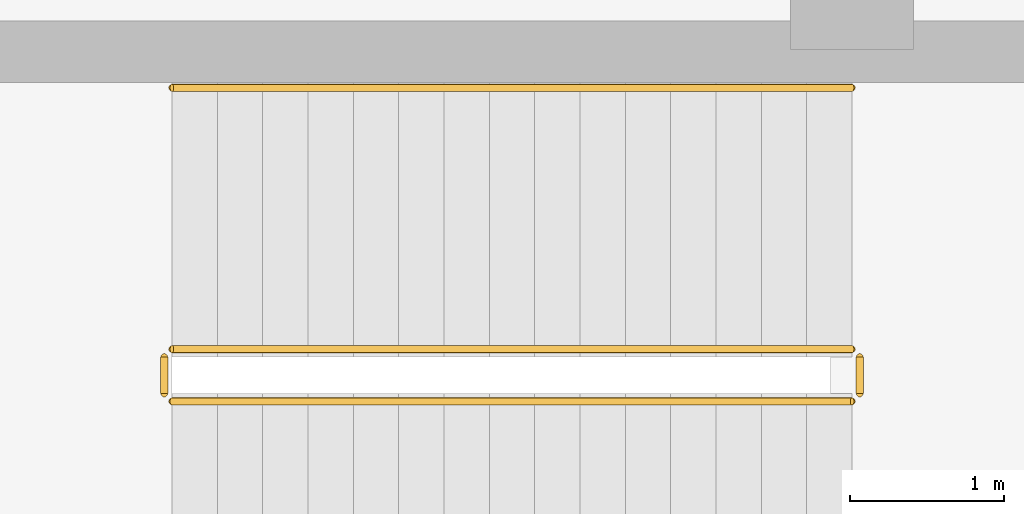
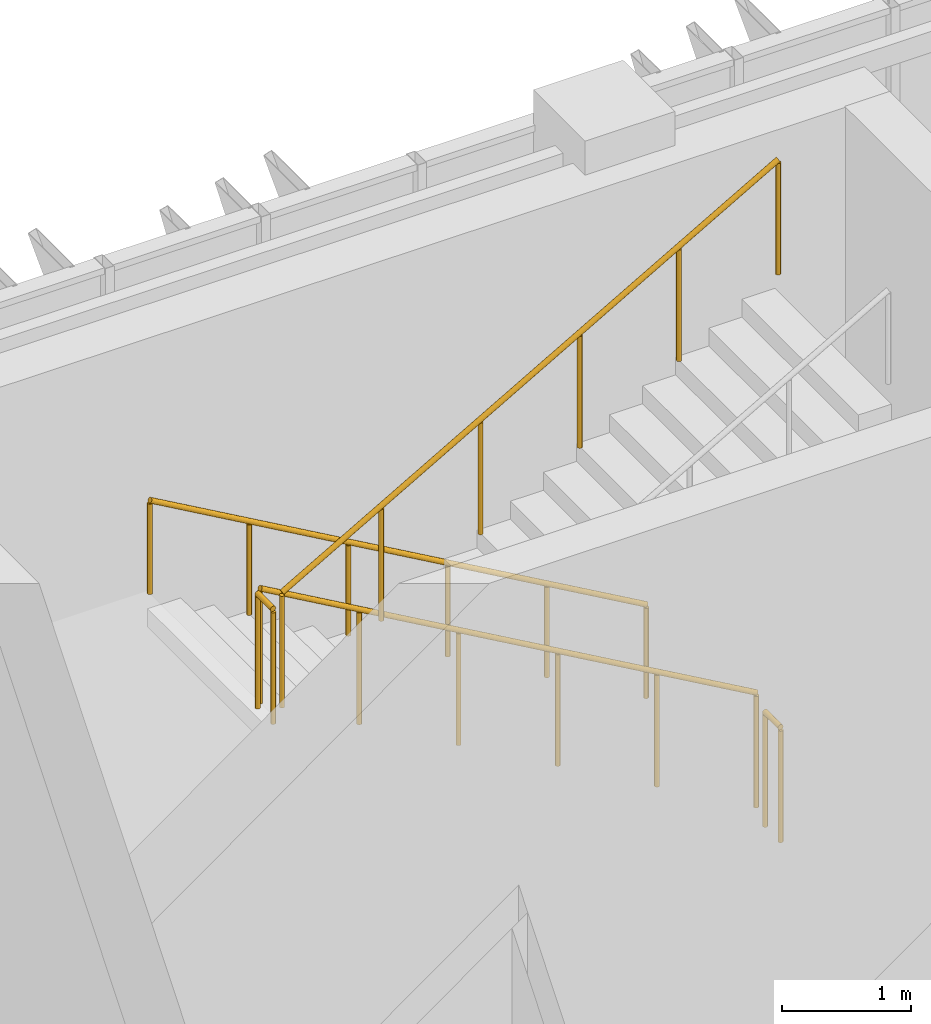
# One storey, part 130 of 139: 5 railings.
"""IFC4 building model written with IfcOpenShell, lengths in metres."""

from ifc_helpers import new_model, si_unit, direction, frame, origin, origin_2d, place, context, subcontext, project, spatial, circle, extrude, material, type_object, element, save


model = new_model("IFC4")

# Units and contexts
model_context = context("Model", 3, precision=1e-05, world=origin(), true_north=direction((0.0, 1.0)))
body_context = subcontext(model_context, "Body", "Model", "MODEL_VIEW")
ifc_project = project(units=[si_unit("LENGTHUNIT", "METRE"), si_unit("AREAUNIT", "SQUARE_METRE"), si_unit("VOLUMEUNIT", "CUBIC_METRE"), si_unit("PLANEANGLEUNIT", "RADIAN"), si_unit("MASSUNIT", "GRAM", prefix="KILO")], contexts=[model_context])

# Site, building, storey
site_placement = place(None, origin())
site = spatial("IfcSite", under=ifc_project, at=site_placement, CompositionType="ELEMENT")
building_placement = place(site_placement, origin())
building = spatial("IfcBuilding", under=site, at=building_placement, Name="Zayran Congress Hotel", CompositionType="ELEMENT")
storey_placement = place(building_placement, frame((0.0, 0.0, 5.39990234375)))
storey = spatial("IfcBuildingStorey", under=building, at=storey_placement, Name="L01", CompositionType="ELEMENT", Elevation=5.39990234375)

# Railings
ifc_material_1 = material(Name="Painted steel balustrade", Category="steel")
railing_type_1 = type_object("IfcRailingType", Name="TP-GRD-INT", PredefinedType="GUARDRAIL", material=ifc_material_1)
railing_1_placement = place(storey_placement, frame((16.800048828125, 115.050048828125, 0.1689453125)))
element("IfcRailing", 1, at=railing_1_placement, inside=storey, type_object=railing_type_1, Name="L01 ST-03 stair guard 1", PredefinedType="GUARDRAIL", context=body_context, shape_type="SweptSolid", body=[
    extrude(circle(Radius=0.02392578125, at=origin_2d()), frame((0.0, 0.0, 1.076171875), z_axis=(-0.868019072493, 0.0, 0.49653085482), x_axis=(0.0, -1.0, 0.0)), (0.0, 0.0, 1.0), 5.097900390625),
    extrude(circle(Radius=0.02099609375, at=origin_2d()), origin(), (0.0, 0.0, 1.0), 1.052001953125),
    extrude(circle(Radius=0.02099609375, at=origin_2d()), frame((-0.885009765625, 0.0, 0.50634765625)), (0.0, 0.0, 1.0), 1.052001953125),
    extrude(circle(Radius=0.02099609375, at=origin_2d()), frame((-1.77001953125, 0.0, 1.012451171875)), (0.0, 0.0, 1.0), 1.052001953125),
    extrude(circle(Radius=0.02099609375, at=origin_2d()), frame((-2.655029296875, 0.0, 1.518798828125)), (0.0, 0.0, 1.0), 1.052001953125),
    extrude(circle(Radius=0.02099609375, at=origin_2d()), frame((-3.5400390625, 0.0, 2.02490234375)), (0.0, 0.0, 1.0), 1.052001953125),
    extrude(circle(Radius=0.02099609375, at=origin_2d()), frame((-4.425048828125, 0.0, 2.53125)), (0.0, 0.0, 1.0), 1.052001953125),
])
railing_2_placement = place(storey_placement, frame((12.324951171875, 115.0, 2.7001953125)))
element("IfcRailing", 2, at=railing_2_placement, inside=storey, type_object=railing_type_1, Name="L01 ST-03 stair guard 2", PredefinedType="GUARDRAIL", context=body_context, shape_type="SweptSolid", body=[
    extrude(circle(Radius=0.02392578125, at=origin_2d()), frame((0.0, 0.0, 1.076171875), z_axis=(0.0, -1.0, 0.0), x_axis=(1.0, 0.0, 0.0)), (0.0, 0.0, 1.0), 0.239990234375),
    extrude(circle(Radius=0.02099609375, at=origin_2d()), origin(), (0.0, 0.0, 1.0), 1.052001953125),
    extrude(circle(Radius=0.02099609375, at=origin_2d()), frame((0.0, -0.239990234375, 0.0)), (0.0, 0.0, 1.0), 1.052001953125),
])
railing_3_placement = place(storey_placement, frame((12.375, 114.7099609375, 2.868896484375)))
element("IfcRailing", 3, at=railing_3_placement, inside=storey, type_object=railing_type_1, Name="L01 ST-03 stair guard 3", PredefinedType="GUARDRAIL", context=body_context, shape_type="SweptSolid", body=[
    extrude(circle(Radius=0.02392578125, at=origin_2d()), frame((0.0, 0.0, 1.076171875), z_axis=(0.868019072493, 0.0, 0.49653085482), x_axis=(0.0, 1.0, 0.0)), (0.0, 0.0, 1.0), 5.097900390625),
    extrude(circle(Radius=0.02099609375, at=origin_2d()), origin(), (0.0, 0.0, 1.0), 1.052001953125),
    extrude(circle(Radius=0.02099609375, at=origin_2d()), frame((0.885009765625, 0.0, 0.50634765625)), (0.0, 0.0, 1.0), 1.052001953125),
    extrude(circle(Radius=0.02099609375, at=origin_2d()), frame((1.77001953125, 0.0, 1.012451171875)), (0.0, 0.0, 1.0), 1.052001953125),
    extrude(circle(Radius=0.02099609375, at=origin_2d()), frame((2.655029296875, 0.0, 1.518798828125)), (0.0, 0.0, 1.0), 1.052001953125),
    extrude(circle(Radius=0.02099609375, at=origin_2d()), frame((3.5400390625, 0.0, 2.02490234375)), (0.0, 0.0, 1.0), 1.052001953125),
    extrude(circle(Radius=0.02099609375, at=origin_2d()), frame((4.425048828125, 0.0, 2.53125)), (0.0, 0.0, 1.0), 1.052001953125),
])
railing_4_placement = place(storey_placement, frame((16.85009765625, 115.0, 0.0)))
element("IfcRailing", 4, at=railing_4_placement, inside=storey, type_object=railing_type_1, Name="L01 ST-03 stair guard 4", PredefinedType="GUARDRAIL", context=body_context, shape_type="SweptSolid", body=[
    extrude(circle(Radius=0.02392578125, at=origin_2d()), frame((0.0, 0.0, 1.076171875), z_axis=(0.0, -1.0, 0.0), x_axis=(1.0, 0.0, 0.0)), (0.0, 0.0, 1.0), 0.239990234375),
    extrude(circle(Radius=0.02099609375, at=origin_2d()), origin(), (0.0, 0.0, 1.0), 1.052001953125),
    extrude(circle(Radius=0.02099609375, at=origin_2d()), frame((0.0, -0.239990234375, 0.0)), (0.0, 0.0, 1.0), 1.052001953125),
])
ifc_material_2 = material(Name="Brushed stainless steel handrail", Category="steel")
railing_type_2 = type_object("IfcRailingType", Name="TP-HND-STR", PredefinedType="HANDRAIL", material=ifc_material_2)
railing_5_placement = place(storey_placement, frame((16.800048828125, 116.75, 0.1689453125)))
element("IfcRailing", 5, at=railing_5_placement, inside=storey, type_object=railing_type_2, Name="L01 ST-03 stair handrail 1", PredefinedType="HANDRAIL", context=body_context, shape_type="SweptSolid", body=[
    extrude(circle(Radius=0.02392578125, at=origin_2d()), frame((0.0, 0.0, 0.8759765625), z_axis=(-0.868019072493, 0.0, 0.49653085482), x_axis=(0.0, -1.0, 0.0)), (0.0, 0.0, 1.0), 5.097900390625),
    extrude(circle(Radius=0.02099609375, at=origin_2d()), origin(), (0.0, 0.0, 1.0), 0.851806640625),
    extrude(circle(Radius=0.02099609375, at=origin_2d()), frame((-0.885009765625, 0.0, 0.50634765625)), (0.0, 0.0, 1.0), 0.851806640625),
    extrude(circle(Radius=0.02099609375, at=origin_2d()), frame((-1.77001953125, 0.0, 1.012451171875)), (0.0, 0.0, 1.0), 0.851806640625),
    extrude(circle(Radius=0.02099609375, at=origin_2d()), frame((-2.655029296875, 0.0, 1.518798828125)), (0.0, 0.0, 1.0), 0.851806640625),
    extrude(circle(Radius=0.02099609375, at=origin_2d()), frame((-3.5400390625, 0.0, 2.02490234375)), (0.0, 0.0, 1.0), 0.851806640625),
    extrude(circle(Radius=0.02099609375, at=origin_2d()), frame((-4.425048828125, 0.0, 2.53125)), (0.0, 0.0, 1.0), 0.851806640625),
])

save(model, "model.ifc")
